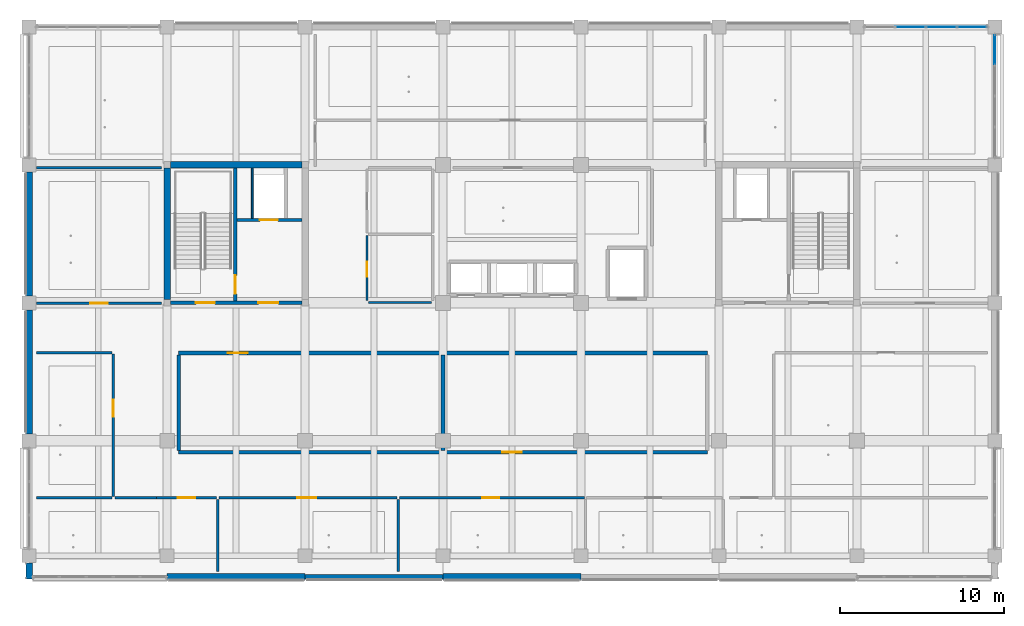
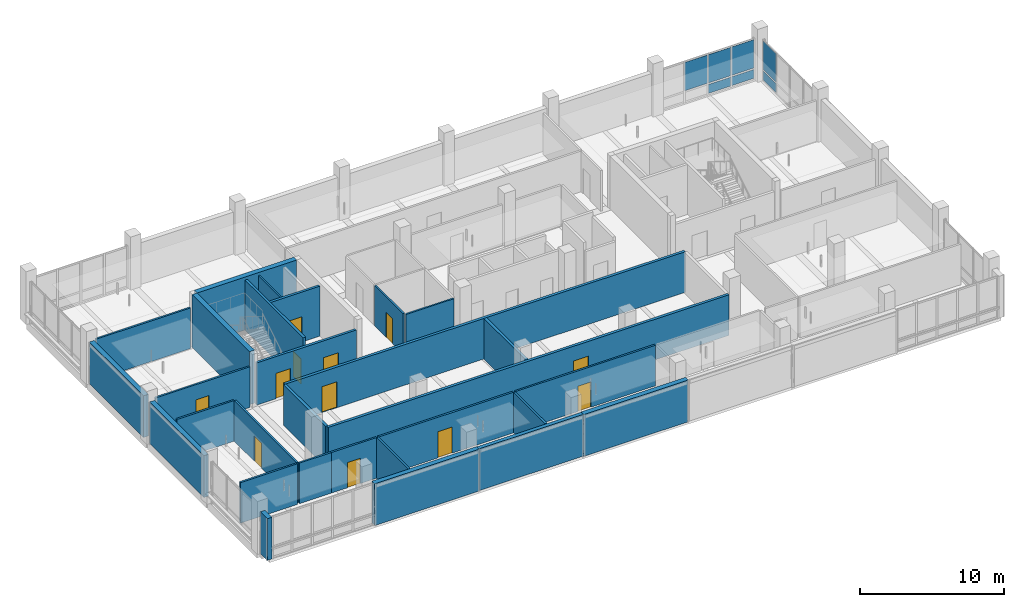
# One storey, part 11 of 36: 29 walls, 12 doors, 7 plates, 12 openings, 2 elements without a shape of their own.
"""IFC4 building model written with IfcOpenShell, lengths in metres."""

from ifc_helpers import new_model, si_unit, direction, frame, frame_2d, origin, origin_2d, place, context, subcontext, project, spatial, rectangle, extrude, material, layer, layer_set, type_object, element, fill, aggregate, save


model = new_model("IFC4")

# Units and contexts
model_context = context("Model", 3, precision=1e-05, world=origin(), true_north=direction((0.0, 1.0)))
body_context = subcontext(model_context, "Body", "Model", "MODEL_VIEW")
ifc_project = project(units=[si_unit("LENGTHUNIT", "METRE"), si_unit("AREAUNIT", "SQUARE_METRE"), si_unit("VOLUMEUNIT", "CUBIC_METRE"), si_unit("PLANEANGLEUNIT", "RADIAN"), si_unit("MASSUNIT", "GRAM", prefix="KILO")], contexts=[model_context])

# Site, building, storey
site_placement = place(None, origin())
site = spatial("IfcSite", under=ifc_project, at=site_placement, CompositionType="ELEMENT")
building_placement = place(site_placement, origin())
building = spatial("IfcBuilding", under=site, at=building_placement, Name="Telukmera Botanical Conservatory", CompositionType="ELEMENT")
storey_placement = place(building_placement, frame((0.0, 0.0, 24.0)))
storey = spatial("IfcBuildingStorey", under=building, at=storey_placement, Name="L05", CompositionType="ELEMENT", Elevation=24.0)

# Curtain wall, plates
ifc_material_1 = material(Name="Anodised aluminium 6063-T6", Category="aluminium")
ifc_layer_1 = layer(ifc_material_1, 0.179931640625)
ifc_layer_set_1 = layer_set([ifc_layer_1], Name="Anodised aluminium 6063-T6")
curtain_wall_type = type_object("IfcCurtainWallType", Name="Tower Herbarium Curation Corner Curtain Wall", PredefinedType="USERDEFINED", material=ifc_layer_set_1)
curtain_wall_1_placement = place(storey_placement, origin())
curtain_wall_1 = element("IfcCurtainWall", 1, at=curtain_wall_1_placement, inside=storey, type_object=curtain_wall_type, Name="Unitised Curtain Wall CW14 V4:L05:N7", ObjectType="UNITISED CURTAIN WALL", PredefinedType="USERDEFINED")
ifc_material_2 = material(Name="Spectrally selective low-E double glazing", Category="glass")
ifc_layer_2 = layer(ifc_material_2, 0.0380859375)
ifc_layer_set_2 = layer_set([ifc_layer_2], Name="Spectrally selective low-E double glazing")
plate_type = type_object("IfcPlateType", Name="Solar Control Fritted Spandrel Glazing Panel 38", PredefinedType="CURTAIN_PANEL", material=ifc_layer_set_2)
plate_1_placement = place(storey_placement, frame((104.056640625, 42.800048828125, 1.01513671875), z_axis=(0.0, 0.0, 1.0), x_axis=(1.0, 0.0, 0.0)))
plate_1 = element("IfcPlate", 2, at=plate_1_placement, type_object=plate_type, Name="CW14 panel 2.2", PredefinedType="CURTAIN_PANEL", context=body_context, shape_type="SweptSolid", body=[
    extrude(rectangle(XDim=1.821533203125, YDim=0.0380859375, at=origin_2d()), origin(), (0.0, 0.0, 1.0), 2.405029296875),
])
plate_2_placement = place(storey_placement, frame((105.943359375, 42.800048828125, 0.130126953125), z_axis=(0.0, 0.0, 1.0), x_axis=(1.0, 0.0, 0.0)))
plate_2 = element("IfcPlate", 3, at=plate_2_placement, type_object=plate_type, Name="CW14 panel 3.1", PredefinedType="CURTAIN_PANEL", context=body_context, shape_type="SweptSolid", body=[
    extrude(rectangle(XDim=1.821533203125, YDim=0.0380859375, at=origin_2d()), origin(), (0.0, 0.0, 1.0), 0.7548828125),
])
plate_3_placement = place(storey_placement, frame((105.943359375, 42.800048828125, 1.01513671875), z_axis=(0.0, 0.0, 1.0), x_axis=(1.0, 0.0, 0.0)))
plate_3 = element("IfcPlate", 4, at=plate_3_placement, type_object=plate_type, Name="CW14 panel 3.2", PredefinedType="CURTAIN_PANEL", context=body_context, shape_type="SweptSolid", body=[
    extrude(rectangle(XDim=1.821533203125, YDim=0.0380859375, at=origin_2d()), origin(), (0.0, 0.0, 1.0), 2.405029296875),
])
plate_4_placement = place(storey_placement, frame((107.8134765625, 42.800048828125, 0.130126953125), z_axis=(0.0, 0.0, 1.0), x_axis=(1.0, 0.0, 0.0)))
plate_4 = element("IfcPlate", 5, at=plate_4_placement, type_object=plate_type, Name="CW14 panel 4.1", PredefinedType="CURTAIN_PANEL", context=body_context, shape_type="SweptSolid", body=[
    extrude(rectangle(XDim=1.7890625, YDim=0.0380859375, at=origin_2d()), origin(), (0.0, 0.0, 1.0), 0.7548828125),
])
plate_5_placement = place(storey_placement, frame((107.8134765625, 42.800048828125, 1.01513671875), z_axis=(0.0, 0.0, 1.0), x_axis=(1.0, 0.0, 0.0)))
plate_5 = element("IfcPlate", 6, at=plate_5_placement, type_object=plate_type, Name="CW14 panel 4.2", PredefinedType="CURTAIN_PANEL", context=body_context, shape_type="SweptSolid", body=[
    extrude(rectangle(XDim=1.7890625, YDim=0.0380859375, at=origin_2d()), origin(), (0.0, 0.0, 1.0), 2.405029296875),
])
aggregate(curtain_wall_1, [plate_1, plate_2, plate_3, plate_4, plate_5])

curtain_wall_2_placement = place(storey_placement, origin())
curtain_wall_2 = element("IfcCurtainWall", 7, at=curtain_wall_2_placement, inside=storey, type_object=curtain_wall_type, Name="Unitised Curtain Wall CW14 V4:L05:E4", ObjectType="UNITISED CURTAIN WALL", PredefinedType="USERDEFINED")
plate_6_placement = place(storey_placement, frame((109.199951171875, 41.41357421875, 0.130126953125), z_axis=(0.0, 0.0, 1.0), x_axis=(0.0, 1.0, 0.0)))
plate_6 = element("IfcPlate", 8, at=plate_6_placement, type_object=plate_type, Name="CW14 panel 4.1", PredefinedType="CURTAIN_PANEL", context=body_context, shape_type="SweptSolid", body=[
    extrude(rectangle(XDim=1.7890625, YDim=0.0380859375, at=origin_2d()), origin(), (0.0, 0.0, 1.0), 0.7548828125),
])
plate_7_placement = place(storey_placement, frame((109.199951171875, 41.41357421875, 1.01513671875), z_axis=(0.0, 0.0, 1.0), x_axis=(0.0, 1.0, 0.0)))
plate_7 = element("IfcPlate", 9, at=plate_7_placement, type_object=plate_type, Name="CW14 panel 4.2", PredefinedType="CURTAIN_PANEL", context=body_context, shape_type="SweptSolid", body=[
    extrude(rectangle(XDim=1.7890625, YDim=0.0380859375, at=origin_2d()), origin(), (0.0, 0.0, 1.0), 2.405029296875),
])
aggregate(curtain_wall_2, [plate_6, plate_7])

# Walls
ifc_material_3 = material(Name="Terracotta-faced precast concrete C40/50", Category="masonry")
ifc_layer_3 = layer(ifc_material_3, 0.3798828125)
ifc_layer_set_3 = layer_set([ifc_layer_3], Name="Terracotta-faced precast concrete C40/50")
wall_type_1 = type_object("IfcWallType", Name="Exterior Herbarium Vault Insulated Precast Wall 380", PredefinedType="SOLIDWALL", material=ifc_layer_set_3)
wall_1_placement = place(storey_placement, frame((50.39990234375, 9.199951171875, 0.0), z_axis=(0.0, 0.0, 1.0), x_axis=(0.0, 1.0, 0.0)))
element("IfcWall", 10, at=wall_1_placement, inside=storey, type_object=wall_type_1, Name="Exterior Precast Wall EW04 V4:L05:SWC", PredefinedType="SOLIDWALL", context=body_context, shape_type="SweptSolid", body=[
    extrude(rectangle(XDim=0.97314453125, YDim=0.3798828125, at=frame_2d((0.486572265625, 0.0))), origin(), (0.0, 0.0, 1.0), 3.550048828125),
])
for number, where, z_axis, x_axis, name in (
    (11, (58.802001953125, 9.320068359375, 0.0), (0.0, 0.0, 1.0), (1.0, 0.0, 0.0), "Exterior Precast Wall EW04 V4:L05:S2"),
    (12, (75.60205078125, 9.320068359375, 0.0), (0.0, 0.0, 1.0), (1.0, 0.0, 0.0), "Exterior Precast Wall EW04 V4:L05:S4"),
):
    element("IfcWall", number, at=place(storey_placement, frame(where, z_axis=z_axis, x_axis=x_axis)), inside=storey, type_object=wall_type_1, Name=name, PredefinedType="SOLIDWALL", context=body_context, shape_type="SweptSolid", body=[
        extrude(rectangle(XDim=8.39599609375, YDim=0.3798828125, at=frame_2d((4.197998046875, 0.0))), origin(), (0.0, 0.0, 1.0), 3.550048828125),
    ])
for number, where, z_axis, x_axis, name in (
    (13, (50.39990234375, 18.027099609375, 0.0), (0.0, 0.0, 1.0), (0.0, 1.0, 0.0), "Exterior Precast Wall EW04 V4:L05:W2"),
    (14, (50.39990234375, 26.427001953125, 0.0), (0.0, 0.0, 1.0), (0.0, 1.0, 0.0), "Exterior Precast Wall EW04 V4:L05:W3"),
):
    element("IfcWall", number, at=place(storey_placement, frame(where, z_axis=z_axis, x_axis=x_axis)), inside=storey, type_object=wall_type_1, Name=name, PredefinedType="SOLIDWALL", context=body_context, shape_type="SweptSolid", body=[
        extrude(rectangle(XDim=7.5458984375, YDim=0.3798828125, at=frame_2d((3.77294921875, 0.0))), origin(), (0.0, 0.0, 1.0), 3.550048828125),
    ])
ifc_layer_4 = layer(ifc_material_3, 0.300048828125)
ifc_layer_set_4 = layer_set([ifc_layer_4], Name="Terracotta-faced precast concrete C40/50")
wall_type_2 = type_object("IfcWallType", Name="Exterior Polychrome Terracotta Precast Wall 300", PredefinedType="SOLIDWALL", material=ifc_layer_set_4)
wall_2_placement = place(storey_placement, frame((67.201904296875, 9.320068359375, 0.0), z_axis=(0.0, 0.0, 1.0), x_axis=(1.0, 0.0, 0.0)))
element("IfcWall", 15, at=wall_2_placement, inside=storey, type_object=wall_type_2, Name="Exterior Precast Wall EW02 V4:L05:S3", PredefinedType="SOLIDWALL", context=body_context, shape_type="SweptSolid", body=[
    extrude(rectangle(XDim=8.39599609375, YDim=0.300048828125, at=frame_2d((4.197998046875, 0.0))), origin(), (0.0, 0.0, 1.0), 3.550048828125),
])

# Wall, openings, doors
ifc_material_4 = material(Name="Concrete C40/50", Category="concrete")
ifc_layer_5 = layer(ifc_material_4, 0.199951171875)
ifc_layer_set_5 = layer_set([ifc_layer_5], Name="Concrete C40/50")
wall_type_3 = type_object("IfcWallType", Name="WT-CORE-200", PredefinedType="SOLIDWALL", material=ifc_layer_set_5)
wall_3_placement = place(storey_placement, frame((59.0, 26.0, 0.0), z_axis=(0.0, 0.0, 1.0), x_axis=(1.0, 0.0, 0.0)))
wall_3 = element("IfcWall", 16, at=wall_3_placement, inside=storey, type_object=wall_type_3, Name="L05 Core C1 South Fire Wall", PredefinedType="SOLIDWALL", context=body_context, shape_type="SweptSolid", body=[
    extrude(rectangle(XDim=8.0, YDim=0.199951171875, at=frame_2d((4.0, 0.0))), origin(), (0.0, 0.0, 1.0), 3.580078125),
])
opening_1_placement = place(wall_3_placement, frame((1.550048828125, 0.0, 0.0)))
opening_1 = element("IfcOpeningElement", 17, at=opening_1_placement, cuts=wall_3, Name="Opening FD60A", PredefinedType="OPENING", context=body_context, shape_type="SweptSolid", body=[
    extrude(rectangle(XDim=1.14990234375, YDim=2.14990234375, at=frame_2d((0.574951171875, 1.074951171875))), frame((0.0, 0.10986328125, 0.0), z_axis=(0.0, -1.0, 0.0), x_axis=(1.0, 0.0, 0.0)), (0.0, 0.0, 1.0), 0.219970703125),
])
opening_2_placement = place(wall_3_placement, frame((5.35009765625, 0.0, 0.0)))
opening_2 = element("IfcOpeningElement", 18, at=opening_2_placement, cuts=wall_3, Name="Opening FD60C", PredefinedType="OPENING", context=body_context, shape_type="SweptSolid", body=[
    extrude(rectangle(XDim=1.219970703125, YDim=2.14990234375, at=frame_2d((0.60986328125, 1.074951171875))), frame((0.0, 0.10986328125, 0.0), z_axis=(0.0, -1.0, 0.0), x_axis=(1.0, 0.0, 0.0)), (0.0, 0.0, 1.0), 0.219970703125),
])
ifc_material_5 = material(Name="Hardwood fire door", Category="wood")
door_type_1 = type_object("IfcDoorType", Name="DT-FD60-01", OperationType="NOTDEFINED", PredefinedType="DOOR", material=ifc_material_5)
door_1_placement = place(opening_1_placement, origin())
door_1 = element("IfcDoor", 19, at=door_1_placement, inside=storey, type_object=door_type_1, Name="L05 Stair ST1 Escape Door", OperationType="SINGLE_SWING_LEFT", OverallHeight=2.14990234375, OverallWidth=1.14990234375, PredefinedType="DOOR", context=body_context, shape_type="SweptSolid", body=[
    extrude(rectangle(XDim=1.14990234375, YDim=2.14990234375, at=frame_2d((0.574951171875, 1.074951171875))), frame((0.0, 0.02490234375, 0.0), z_axis=(0.0, -1.0, 0.0), x_axis=(1.0, 0.0, 0.0)), (0.0, 0.0, 1.0), 0.050048828125),
])
fill(opening_1, door_1)
door_type_2 = type_object("IfcDoorType", Name="DT-FD60-03", OperationType="NOTDEFINED", PredefinedType="DOOR", material=ifc_material_5)
door_2_placement = place(opening_2_placement, origin())
door_2 = element("IfcDoor", 20, at=door_2_placement, inside=storey, type_object=door_type_2, Name="L05 Firefighting Lobby C1 Door", OperationType="SINGLE_SWING_RIGHT", OverallHeight=2.14990234375, OverallWidth=1.219970703125, PredefinedType="DOOR", context=body_context, shape_type="SweptSolid", body=[
    extrude(rectangle(XDim=1.219970703125, YDim=2.14990234375, at=frame_2d((0.60986328125, 1.074951171875))), frame((0.0, 0.02490234375, 0.0), z_axis=(0.0, -1.0, 0.0), x_axis=(1.0, 0.0, 0.0)), (0.0, 0.0, 1.0), 0.050048828125),
])
fill(opening_2, door_2)

# Wall, opening, door
wall_4_placement = place(storey_placement, frame((62.949951171875, 26.10009765625, 0.0), z_axis=(0.0, 0.0, 1.0), x_axis=(0.0, 1.0, 0.0)))
wall_4 = element("IfcWall", 21, at=wall_4_placement, inside=storey, type_object=wall_type_3, Name="L05 Core C1 Stair-Lobby Wall", PredefinedType="SOLIDWALL", context=body_context, shape_type="SweptSolid", body=[
    extrude(rectangle(XDim=8.099853515625, YDim=0.199951171875, at=frame_2d((4.0498046875, 0.0))), origin(), (0.0, 0.0, 1.0), 4.25),
])
opening_3_placement = place(wall_4_placement, frame((0.449951171875, 0.0, 0.0)))
opening_3 = element("IfcOpeningElement", 22, at=opening_3_placement, cuts=wall_4, Name="Opening FD60B", PredefinedType="OPENING", context=body_context, shape_type="SweptSolid", body=[
    extrude(rectangle(XDim=1.1201171875, YDim=2.14990234375, at=frame_2d((0.56005859375, 1.074951171875))), frame((0.0, 0.10986328125, 0.0), z_axis=(0.0, -1.0, 0.0), x_axis=(1.0, 0.0, 0.0)), (0.0, 0.0, 1.0), 0.219970703125),
])
door_type_3 = type_object("IfcDoorType", Name="DT-FD60-02", OperationType="NOTDEFINED", PredefinedType="DOOR", material=ifc_material_5)
door_3_placement = place(opening_3_placement, origin())
door_3 = element("IfcDoor", 23, at=door_3_placement, inside=storey, type_object=door_type_3, Name="L05 Firefighting Lobby C1 to ST1 Door", OperationType="SINGLE_SWING_LEFT", OverallHeight=2.14990234375, OverallWidth=1.1201171875, PredefinedType="DOOR", context=body_context, shape_type="SweptSolid", body=[
    extrude(rectangle(XDim=1.1201171875, YDim=2.14990234375, at=frame_2d((0.56005859375, 1.074951171875))), frame((0.0, 0.02490234375, 0.0), z_axis=(0.0, -1.0, 0.0), x_axis=(1.0, 0.0, 0.0)), (0.0, 0.0, 1.0), 0.050048828125),
])
fill(opening_3, door_3)

wall_5_placement = place(storey_placement, frame((63.050048828125, 31.050048828125, 0.0), z_axis=(0.0, 0.0, 1.0), x_axis=(1.0, 0.0, 0.0)))
wall_5 = element("IfcWall", 24, at=wall_5_placement, inside=storey, type_object=wall_type_3, Name="L05 Fire Lift FL1 Shaft Front Wall", PredefinedType="SOLIDWALL", context=body_context, shape_type="SweptSolid", body=[
    extrude(rectangle(XDim=3.949951171875, YDim=0.199951171875, at=frame_2d((1.97509765625, 0.0))), origin(), (0.0, 0.0, 1.0), 4.25),
])
opening_4_placement = place(wall_5_placement, frame((1.39990234375, 0.0, 0.0)))
opening_4 = element("IfcOpeningElement", 25, at=opening_4_placement, cuts=wall_5, Name="Opening LD01", PredefinedType="OPENING", context=body_context, shape_type="SweptSolid", body=[
    extrude(rectangle(XDim=1.10009765625, YDim=2.14990234375, at=frame_2d((0.550048828125, 1.074951171875))), frame((0.0, 0.10986328125, 0.0), z_axis=(0.0, -1.0, 0.0), x_axis=(1.0, 0.0, 0.0)), (0.0, 0.0, 1.0), 0.219970703125),
])
ifc_material_6 = material(Name="Stainless steel 316", Category="steel")
door_type_4 = type_object("IfcDoorType", Name="DT-LD01", OperationType="SLIDING_TO_LEFT", PredefinedType="DOOR", material=ifc_material_6)
door_4_placement = place(opening_4_placement, frame((1.10009765625, 0.0, 0.0), z_axis=(0.0, 0.0, 1.0), x_axis=(-1.0, 0.0, 0.0)))
door_4 = element("IfcDoor", 26, at=door_4_placement, inside=storey, type_object=door_type_4, Name="L05 Lift Landing Door FL1", OperationType="SLIDING_TO_LEFT", OverallHeight=2.14990234375, OverallWidth=1.10009765625, PredefinedType="DOOR", context=body_context, shape_type="SweptSolid", body=[
    extrude(rectangle(XDim=1.10009765625, YDim=2.14990234375, at=frame_2d((0.550048828125, 1.074951171875))), frame((0.0, 0.02490234375, 0.0), z_axis=(0.0, -1.0, 0.0), x_axis=(1.0, 0.0, 0.0)), (0.0, 0.0, 1.0), 0.050048828125),
])
fill(opening_4, door_4)

ifc_material_7 = material(Name="Gypsum acoustic stud partition")
ifc_layer_6 = layer(ifc_material_7, 0.159912109375)
ifc_layer_set_6 = layer_set([ifc_layer_6], Name="Gypsum acoustic stud partition")
wall_type_4 = type_object("IfcWallType", Name="WT-LAB-160", PredefinedType="PARTITIONING", material=ifc_layer_set_6)
wall_6_placement = place(storey_placement, frame((61.949951171875, 14.125, 0.0), z_axis=(0.0, 0.0, 1.0), x_axis=(1.0, 0.0, 0.0)))
wall_6 = element("IfcWall", 27, at=wall_6_placement, inside=storey, type_object=wall_type_4, Name="L05 Interior Partition 20", PredefinedType="PARTITIONING", context=body_context, shape_type="SweptSolid", body=[
    extrude(rectangle(XDim=10.85009765625, YDim=0.159912109375, at=frame_2d((5.425048828125, 0.0))), origin(), (0.0, 0.0, 1.0), 3.449951171875),
])
opening_5_placement = place(wall_6_placement, frame((4.779541015625, 0.0, 0.0)))
opening_5 = element("IfcOpeningElement", 28, at=opening_5_placement, cuts=wall_6, Name="Opening ID10", PredefinedType="OPENING", context=body_context, shape_type="SweptSolid", body=[
    extrude(rectangle(XDim=1.139892578125, YDim=2.219970703125, at=frame_2d((0.56982421875, 1.10986328125))), frame((0.0, 0.08984375, 0.0), z_axis=(0.0, -1.0, 0.0), x_axis=(1.0, 0.0, 0.0)), (0.0, 0.0, 1.0), 0.179931640625),
])
ifc_material_8 = material(Name="Sealed steel herbarium door", Category="steel")
door_type_5 = type_object("IfcDoorType", Name="DT-HERB-114", OperationType="NOTDEFINED", PredefinedType="DOOR", material=ifc_material_8)
door_5_placement = place(opening_5_placement, frame((1.139892578125, 0.0, 0.0), z_axis=(0.0, 0.0, 1.0), x_axis=(-1.0, 0.0, 0.0)))
door_5 = element("IfcDoor", 29, at=door_5_placement, inside=storey, type_object=door_type_5, Name="L05 Mycology Herbarium Studio Door", OperationType="SINGLE_SWING_RIGHT", OverallHeight=2.219970703125, OverallWidth=1.139892578125, PredefinedType="DOOR", context=body_context, shape_type="SweptSolid", body=[
    extrude(rectangle(XDim=1.139892578125, YDim=2.219970703125, at=frame_2d((0.56982421875, 1.10986328125))), frame((0.0, 0.02490234375, 0.0), z_axis=(0.0, -1.0, 0.0), x_axis=(1.0, 0.0, 0.0)), (0.0, 0.0, 1.0), 0.050048828125),
])
fill(opening_5, door_5)

# Walls
for number, where, z_axis, x_axis, name in (
    (30, (61.875, 9.64990234375, 0.0), (0.0, 0.0, 1.0), (0.0, 1.0, 0.0), "L05 Interior Partition 25"),
    (31, (72.875, 9.64990234375, 0.0), (0.0, 0.0, 1.0), (0.0, 1.0, 0.0), "L05 Interior Partition 26"),
):
    element("IfcWall", number, at=place(storey_placement, frame(where, z_axis=z_axis, x_axis=x_axis)), inside=storey, type_object=wall_type_4, Name=name, PredefinedType="PARTITIONING", context=body_context, shape_type="SweptSolid", body=[
        extrude(rectangle(XDim=4.385009765625, YDim=0.159912109375, at=frame_2d((2.1923828125, 0.0))), origin(), (0.0, 0.0, 1.0), 3.449951171875),
    ])
ifc_material_9 = material(Name="Gypsum shaftwall liner")
ifc_layer_7 = layer(ifc_material_9, 0.110107421875)
ifc_layer_set_7 = layer_set([ifc_layer_7], Name="Gypsum shaftwall liner")
wall_type_5 = type_object("IfcWallType", Name="WT-RISER-110", PredefinedType="PARTITIONING", material=ifc_layer_set_7)
wall_7_placement = place(storey_placement, frame((63.97998046875, 31.14990234375, 0.0), z_axis=(0.0, 0.0, 1.0), x_axis=(0.0, 1.0, 0.0)))
element("IfcWall", 32, at=wall_7_placement, inside=storey, type_object=wall_type_5, Name="L05 Wet Riser C1 Shaft Wall", PredefinedType="PARTITIONING", context=body_context, shape_type="SweptSolid", body=[
    extrude(rectangle(XDim=3.050048828125, YDim=0.110107421875, at=frame_2d((1.52490234375, 0.0))), origin(), (0.0, 0.0, 1.0), 4.25),
])

# Wall, opening, door
ifc_layer_8 = layer(ifc_material_7, 0.14990234375)
ifc_layer_set_8 = layer_set([ifc_layer_8], Name="Gypsum acoustic stud partition")
wall_type_6 = type_object("IfcWallType", Name="WT-STD-150", PredefinedType="PARTITIONING", material=ifc_layer_set_8)
wall_8_placement = place(storey_placement, frame((50.85498046875, 25.97509765625, 0.0), z_axis=(0.0, 0.0, 1.0), x_axis=(1.0, 0.0, 0.0)))
wall_8 = element("IfcWall", 33, at=wall_8_placement, inside=storey, type_object=wall_type_6, Name="L05 Interior Partition 09", PredefinedType="PARTITIONING", context=body_context, shape_type="SweptSolid", body=[
    extrude(rectangle(XDim=7.594970703125, YDim=0.14990234375, at=frame_2d((3.79736328125, 0.0))), origin(), (0.0, 0.0, 1.0), 3.449951171875),
])
opening_6_placement = place(wall_8_placement, frame((3.277587890625, 0.0, 0.0)))
opening_6 = element("IfcOpeningElement", 34, at=opening_6_placement, cuts=wall_8, Name="Opening ID13", PredefinedType="OPENING", context=body_context, shape_type="SweptSolid", body=[
    extrude(rectangle(XDim=1.0400390625, YDim=2.14990234375, at=frame_2d((0.52001953125, 1.074951171875))), frame((0.0, 0.0849609375, 0.0), z_axis=(0.0, -1.0, 0.0), x_axis=(1.0, 0.0, 0.0)), (0.0, 0.0, 1.0), 0.169921875),
])
ifc_material_10 = material(Name="Hardwood curation studio door", Category="wood")
door_type_6 = type_object("IfcDoorType", Name="DT-CUR-104", OperationType="NOTDEFINED", PredefinedType="DOOR", material=ifc_material_10)
door_6_placement = place(opening_6_placement, origin())
door_6 = element("IfcDoor", 35, at=door_6_placement, inside=storey, type_object=door_type_6, Name="L05 Orchidaceae Curation Studio Door", OperationType="SINGLE_SWING_LEFT", OverallHeight=2.14990234375, OverallWidth=1.0400390625, PredefinedType="DOOR", context=body_context, shape_type="SweptSolid", body=[
    extrude(rectangle(XDim=1.0400390625, YDim=2.14990234375, at=frame_2d((0.52001953125, 1.074951171875))), frame((0.0, 0.02490234375, 0.0), z_axis=(0.0, -1.0, 0.0), x_axis=(1.0, 0.0, 0.0)), (0.0, 0.0, 1.0), 0.050048828125),
])
fill(opening_6, door_6)

# Walls
wall_9_placement = place(storey_placement, frame((50.85498046875, 34.22509765625, 0.0), z_axis=(0.0, 0.0, 1.0), x_axis=(1.0, 0.0, 0.0)))
element("IfcWall", 36, at=wall_9_placement, inside=storey, type_object=wall_type_6, Name="L05 Interior Partition 10", PredefinedType="PARTITIONING", context=body_context, shape_type="SweptSolid", body=[
    extrude(rectangle(XDim=7.594970703125, YDim=0.14990234375, at=frame_2d((3.79736328125, 0.0))), origin(), (0.0, 0.0, 1.0), 3.449951171875),
])
wall_10_placement = place(storey_placement, frame((50.85009765625, 22.97509765625, 0.0), z_axis=(0.0, 0.0, 1.0), x_axis=(1.0, 0.0, 0.0)))
element("IfcWall", 37, at=wall_10_placement, inside=storey, type_object=wall_type_6, Name="L05 Interior Partition 13", PredefinedType="PARTITIONING", context=body_context, shape_type="SweptSolid", body=[
    extrude(rectangle(XDim=4.599853515625, YDim=0.14990234375, at=frame_2d((2.2998046875, 0.0))), origin(), (0.0, 0.0, 1.0), 3.449951171875),
])

# Wall, opening, door
wall_11_placement = place(storey_placement, frame((55.52490234375, 14.199951171875, 0.0), z_axis=(0.0, 0.0, 1.0), x_axis=(0.0, 1.0, 0.0)))
wall_11 = element("IfcWall", 38, at=wall_11_placement, inside=storey, type_object=wall_type_6, Name="L05 Interior Partition 15", PredefinedType="PARTITIONING", context=body_context, shape_type="SweptSolid", body=[
    extrude(rectangle(XDim=8.68994140625, YDim=0.14990234375, at=frame_2d((4.344970703125, 0.0))), origin(), (0.0, 0.0, 1.0), 3.449951171875),
])
opening_7_placement = place(wall_11_placement, frame((4.86767578125, 0.0, 0.0)))
opening_7 = element("IfcOpeningElement", 39, at=opening_7_placement, cuts=wall_11, Name="Opening ID13", PredefinedType="OPENING", context=body_context, shape_type="SweptSolid", body=[
    extrude(rectangle(XDim=1.0400390625, YDim=2.14990234375, at=frame_2d((0.52001953125, 1.074951171875))), frame((0.0, 0.0849609375, 0.0), z_axis=(0.0, -1.0, 0.0), x_axis=(1.0, 0.0, 0.0)), (0.0, 0.0, 1.0), 0.169921875),
])
door_7_placement = place(opening_7_placement, origin())
door_7 = element("IfcDoor", 40, at=door_7_placement, inside=storey, type_object=door_type_6, Name="L05 West Herbarium Curation Studio Door", OperationType="SINGLE_SWING_LEFT", OverallHeight=2.14990234375, OverallWidth=1.0400390625, PredefinedType="DOOR", context=body_context, shape_type="SweptSolid", body=[
    extrude(rectangle(XDim=1.0400390625, YDim=2.14990234375, at=frame_2d((0.52001953125, 1.074951171875))), frame((0.0, 0.02490234375, 0.0), z_axis=(0.0, -1.0, 0.0), x_axis=(1.0, 0.0, 0.0)), (0.0, 0.0, 1.0), 0.050048828125),
])
fill(opening_7, door_7)

# Wall
wall_12_placement = place(storey_placement, frame((55.610107421875, 14.125, 0.0), z_axis=(0.0, 0.0, 1.0), x_axis=(1.0, 0.0, 0.0)))
element("IfcWall", 41, at=wall_12_placement, inside=storey, type_object=wall_type_6, Name="L05 Interior Partition 16", PredefinedType="PARTITIONING", context=body_context, shape_type="SweptSolid", body=[
    extrude(rectangle(XDim=2.539794921875, YDim=0.14990234375, at=frame_2d((1.27001953125, 0.0))), origin(), (0.0, 0.0, 1.0), 3.449951171875),
])

# Wall, opening, door
wall_13_placement = place(storey_placement, frame((58.159912109375, 14.125, 0.0), z_axis=(0.0, 0.0, 1.0), x_axis=(1.0, 0.0, 0.0)))
wall_13 = element("IfcWall", 42, at=wall_13_placement, inside=storey, type_object=wall_type_6, Name="L05 Interior Partition 19", PredefinedType="PARTITIONING", context=body_context, shape_type="SweptSolid", body=[
    extrude(rectangle(XDim=3.64013671875, YDim=0.14990234375, at=frame_2d((1.820068359375, 0.0))), origin(), (0.0, 0.0, 1.0), 3.449951171875),
])
opening_8_placement = place(wall_13_placement, frame((1.300048828125, 0.0, 0.0)))
opening_8 = element("IfcOpeningElement", 43, at=opening_8_placement, cuts=wall_13, Name="Opening ID13", PredefinedType="OPENING", context=body_context, shape_type="SweptSolid", body=[
    extrude(rectangle(XDim=1.0400390625, YDim=2.14990234375, at=frame_2d((0.52001953125, 1.074951171875))), frame((0.0, 0.0849609375, 0.0), z_axis=(0.0, -1.0, 0.0), x_axis=(1.0, 0.0, 0.0)), (0.0, 0.0, 1.0), 0.169921875),
])
door_8_placement = place(opening_8_placement, frame((1.0400390625, 0.0, 0.0), z_axis=(0.0, 0.0, 1.0), x_axis=(-1.0, 0.0, 0.0)))
door_8 = element("IfcDoor", 44, at=door_8_placement, inside=storey, type_object=door_type_6, Name="L05 Bryophyte Curation Studio Door", OperationType="SINGLE_SWING_LEFT", OverallHeight=2.14990234375, OverallWidth=1.0400390625, PredefinedType="DOOR", context=body_context, shape_type="SweptSolid", body=[
    extrude(rectangle(XDim=1.0400390625, YDim=2.14990234375, at=frame_2d((0.52001953125, 1.074951171875))), frame((0.0, 0.02490234375, 0.0), z_axis=(0.0, -1.0, 0.0), x_axis=(1.0, 0.0, 0.0)), (0.0, 0.0, 1.0), 0.050048828125),
])
fill(opening_8, door_8)

wall_14_placement = place(storey_placement, frame((72.949951171875, 14.125, 0.0), z_axis=(0.0, 0.0, 1.0), x_axis=(1.0, 0.0, 0.0)))
wall_14 = element("IfcWall", 45, at=wall_14_placement, inside=storey, type_object=wall_type_6, Name="L05 Interior Partition 21", PredefinedType="PARTITIONING", context=body_context, shape_type="SweptSolid", body=[
    extrude(rectangle(XDim=11.25, YDim=0.14990234375, at=frame_2d((5.625, 0.0))), origin(), (0.0, 0.0, 1.0), 3.449951171875),
])
opening_9_placement = place(wall_14_placement, frame((5.0302734375, 0.0, 0.0)))
opening_9 = element("IfcOpeningElement", 46, at=opening_9_placement, cuts=wall_14, Name="Opening ID13", PredefinedType="OPENING", context=body_context, shape_type="SweptSolid", body=[
    extrude(rectangle(XDim=1.0400390625, YDim=2.14990234375, at=frame_2d((0.52001953125, 1.074951171875))), frame((0.0, 0.0849609375, 0.0), z_axis=(0.0, -1.0, 0.0), x_axis=(1.0, 0.0, 0.0)), (0.0, 0.0, 1.0), 0.169921875),
])
door_9_placement = place(opening_9_placement, frame((1.0400390625, 0.0, 0.0), z_axis=(0.0, 0.0, 1.0), x_axis=(-1.0, 0.0, 0.0)))
door_9 = element("IfcDoor", 47, at=door_9_placement, inside=storey, type_object=door_type_6, Name="L05 Herbarium Digitization Studio Door", OperationType="SINGLE_SWING_LEFT", OverallHeight=2.14990234375, OverallWidth=1.0400390625, PredefinedType="DOOR", context=body_context, shape_type="SweptSolid", body=[
    extrude(rectangle(XDim=1.0400390625, YDim=2.14990234375, at=frame_2d((0.52001953125, 1.074951171875))), frame((0.0, 0.02490234375, 0.0), z_axis=(0.0, -1.0, 0.0), x_axis=(1.0, 0.0, 0.0)), (0.0, 0.0, 1.0), 0.050048828125),
])
fill(opening_9, door_9)

# Wall
wall_15_placement = place(storey_placement, frame((50.85009765625, 14.125, 0.0), z_axis=(0.0, 0.0, 1.0), x_axis=(1.0, 0.0, 0.0)))
element("IfcWall", 48, at=wall_15_placement, inside=storey, type_object=wall_type_6, Name="L05 Interior Partition 23", PredefinedType="PARTITIONING", context=body_context, shape_type="SweptSolid", body=[
    extrude(rectangle(XDim=4.58984375, YDim=0.14990234375, at=frame_2d((2.294921875, 0.0))), origin(), (0.0, 0.0, 1.0), 3.449951171875),
])

# Wall, opening, door
ifc_layer_9 = layer(ifc_material_4, 0.219970703125)
ifc_layer_set_9 = layer_set([ifc_layer_9], Name="Concrete C40/50")
wall_type_7 = type_object("IfcWallType", Name="WT-VAULT-220", PredefinedType="SOLIDWALL", material=ifc_layer_set_9)
wall_16_placement = place(storey_placement, frame((59.5, 22.949951171875, 0.0), z_axis=(0.0, 0.0, 1.0), x_axis=(1.0, 0.0, 0.0)))
wall_16 = element("IfcWall", 49, at=wall_16_placement, inside=storey, type_object=wall_type_7, Name="L05 Herbarium Vault North 2hr Wall", PredefinedType="SOLIDWALL", context=body_context, shape_type="SweptSolid", body=[
    extrude(rectangle(XDim=32.199951171875, YDim=0.219970703125, at=frame_2d((16.10009765625, 0.0))), origin(), (0.0, 0.0, 1.0), 3.449951171875),
])
opening_10_placement = place(wall_16_placement, frame((3.0, 0.0, 0.0)))
opening_10 = element("IfcOpeningElement", 50, at=opening_10_placement, cuts=wall_16, Name="Opening FD120A", PredefinedType="OPENING", context=body_context, shape_type="SweptSolid", body=[
    extrude(rectangle(XDim=1.199951171875, YDim=2.199951171875, at=frame_2d((0.60009765625, 1.10009765625))), frame((0.0, 0.119873046875, 0.0), z_axis=(0.0, -1.0, 0.0), x_axis=(1.0, 0.0, 0.0)), (0.0, 0.0, 1.0), 0.239990234375),
])
ifc_material_11 = material(Name="Galvanised steel fire door", Category="steel")
door_type_7 = type_object("IfcDoorType", Name="DT-FD120-01", OperationType="NOTDEFINED", PredefinedType="DOOR", material=ifc_material_11)
door_10_placement = place(opening_10_placement, origin())
door_10 = element("IfcDoor", 51, at=door_10_placement, inside=storey, type_object=door_type_7, Name="L05 Herbarium Vault FD120S Door", OperationType="SINGLE_SWING_LEFT", OverallHeight=2.199951171875, OverallWidth=1.199951171875, PredefinedType="DOOR", context=body_context, shape_type="SweptSolid", body=[
    extrude(rectangle(XDim=1.199951171875, YDim=2.199951171875, at=frame_2d((0.60009765625, 1.10009765625))), frame((0.0, 0.02490234375, 0.0), z_axis=(0.0, -1.0, 0.0), x_axis=(1.0, 0.0, 0.0)), (0.0, 0.0, 1.0), 0.050048828125),
])
fill(opening_10, door_10)

wall_17_placement = place(storey_placement, frame((59.5, 16.89990234375, 0.0), z_axis=(0.0, 0.0, 1.0), x_axis=(1.0, 0.0, 0.0)))
wall_17 = element("IfcWall", 52, at=wall_17_placement, inside=storey, type_object=wall_type_7, Name="L05 Herbarium Vault South 2hr Wall", PredefinedType="SOLIDWALL", context=body_context, shape_type="SweptSolid", body=[
    extrude(rectangle(XDim=32.199951171875, YDim=0.219970703125, at=frame_2d((16.10009765625, 0.0))), origin(), (0.0, 0.0, 1.0), 3.449951171875),
])
opening_11_placement = place(wall_17_placement, frame((19.699951171875, 0.0, 0.0)))
opening_11 = element("IfcOpeningElement", 53, at=opening_11_placement, cuts=wall_17, Name="Opening FD120A", PredefinedType="OPENING", context=body_context, shape_type="SweptSolid", body=[
    extrude(rectangle(XDim=1.199951171875, YDim=2.199951171875, at=frame_2d((0.60009765625, 1.10009765625))), frame((0.0, 0.119873046875, 0.0), z_axis=(0.0, -1.0, 0.0), x_axis=(1.0, 0.0, 0.0)), (0.0, 0.0, 1.0), 0.239990234375),
])
door_11_placement = place(opening_11_placement, frame((1.199951171875, 0.0, 0.0), z_axis=(0.0, 0.0, 1.0), x_axis=(-1.0, 0.0, 0.0)))
door_11 = element("IfcDoor", 54, at=door_11_placement, inside=storey, type_object=door_type_7, Name="L05 Cryptogamic Vault FD120S Door", OperationType="SINGLE_SWING_RIGHT", OverallHeight=2.199951171875, OverallWidth=1.199951171875, PredefinedType="DOOR", context=body_context, shape_type="SweptSolid", body=[
    extrude(rectangle(XDim=1.199951171875, YDim=2.199951171875, at=frame_2d((0.60009765625, 1.10009765625))), frame((0.0, 0.02490234375, 0.0), z_axis=(0.0, -1.0, 0.0), x_axis=(1.0, 0.0, 0.0)), (0.0, 0.0, 1.0), 0.050048828125),
])
fill(opening_11, door_11)

# Walls
for number, where, z_axis, x_axis, name in (
    (55, (59.5, 17.010009765625, 0.0), (0.0, 0.0, 1.0), (0.0, 1.0, 0.0), "L05 Herbarium Vault West 2hr Wall"),
    (56, (75.60009765625, 17.010009765625, 0.0), (0.0, 0.0, 1.0), (0.0, 1.0, 0.0), "L05 Herbarium Vault Central 2hr Wall"),
):
    element("IfcWall", number, at=place(storey_placement, frame(where, z_axis=z_axis, x_axis=x_axis)), inside=storey, type_object=wall_type_7, Name=name, PredefinedType="SOLIDWALL", context=body_context, shape_type="SweptSolid", body=[
        extrude(rectangle(XDim=5.830078125, YDim=0.219970703125, at=frame_2d((2.9150390625, 0.0))), origin(), (0.0, 0.0, 1.0), 3.449951171875),
    ])

# Wall, opening, door
ifc_material_12 = material(Name="Moisture-resistant blockwork", Category="masonry")
ifc_layer_10 = layer(ifc_material_12, 0.135009765625)
ifc_layer_set_10 = layer_set([ifc_layer_10], Name="Moisture-resistant blockwork")
wall_type_8 = type_object("IfcWallType", Name="WT-WC-135", PredefinedType="PARTITIONING", material=ifc_layer_set_10)
wall_18_placement = place(storey_placement, frame((70.97509765625, 26.14990234375, 0.0), z_axis=(0.0, 0.0, 1.0), x_axis=(0.0, 1.0, 0.0)))
wall_18 = element("IfcWall", 57, at=wall_18_placement, inside=storey, type_object=wall_type_8, Name="L05 Interior Partition 01", PredefinedType="PARTITIONING", context=body_context, shape_type="SweptSolid", body=[
    extrude(rectangle(XDim=3.9501953125, YDim=0.135009765625, at=frame_2d((1.97509765625, 0.0))), origin(), (0.0, 0.0, 1.0), 3.449951171875),
])
opening_12_placement = place(wall_18_placement, frame((1.440673828125, 0.0, 0.0)))
opening_12 = element("IfcOpeningElement", 58, at=opening_12_placement, cuts=wall_18, Name="Opening ID17", PredefinedType="OPENING", context=body_context, shape_type="SweptSolid", body=[
    extrude(rectangle(XDim=0.919921875, YDim=2.1201171875, at=frame_2d((0.4599609375, 1.06005859375))), frame((0.0, 0.077392578125, 0.0), z_axis=(0.0, -1.0, 0.0), x_axis=(1.0, 0.0, 0.0)), (0.0, 0.0, 1.0), 0.155029296875),
])
ifc_material_13 = material(Name="Moisture-resistant laminate WC door")
door_type_8 = type_object("IfcDoorType", Name="DT-WC-092", OperationType="NOTDEFINED", PredefinedType="DOOR", material=ifc_material_13)
door_12_placement = place(opening_12_placement, origin())
door_12 = element("IfcDoor", 59, at=door_12_placement, inside=storey, type_object=door_type_8, Name="L05 Public WC Door", OperationType="SINGLE_SWING_RIGHT", OverallHeight=2.1201171875, OverallWidth=0.919921875, PredefinedType="DOOR", context=body_context, shape_type="SweptSolid", body=[
    extrude(rectangle(XDim=0.919921875, YDim=2.1201171875, at=frame_2d((0.4599609375, 1.06005859375))), frame((0.0, 0.02490234375, 0.0), z_axis=(0.0, -1.0, 0.0), x_axis=(1.0, 0.0, 0.0)), (0.0, 0.0, 1.0), 0.050048828125),
])
fill(opening_12, door_12)

# Walls
wall_19_placement = place(storey_placement, frame((71.050048828125, 26.02490234375, 0.0), z_axis=(0.0, 0.0, 1.0), x_axis=(1.0, 0.0, 0.0)))
element("IfcWall", 60, at=wall_19_placement, inside=storey, type_object=wall_type_8, Name="L05 Interior Partition 04", PredefinedType="PARTITIONING", context=body_context, shape_type="SweptSolid", body=[
    extrude(rectangle(XDim=3.849853515625, YDim=0.135009765625, at=frame_2d((1.9248046875, 0.0))), origin(), (0.0, 0.0, 1.0), 3.449951171875),
])
ifc_material_14 = material(Name="Concrete C50/60", Category="concrete")
ifc_layer_11 = layer(ifc_material_14, 0.39990234375)
ifc_layer_set_11 = layer_set([ifc_layer_11], Name="Concrete C50/60")
wall_type_9 = type_object("IfcWallType", Name="Wall_CW1", PredefinedType="SHEAR", material=ifc_layer_set_11)
for number, where, z_axis, x_axis, name in (
    (61, (58.800048828125, 26.199951171875, 0.0), (0.0, 0.0, 1.0), (0.0, 1.0, 0.0), "Core C1 Shear Wall West L05"),
    (62, (59.0, 34.39990234375, 0.0), (0.0, 0.0, 1.0), (1.0, 0.0, 0.0), "Core C1 Shear Wall North L05"),
):
    element("IfcWall", number, at=place(storey_placement, frame(where, z_axis=z_axis, x_axis=x_axis)), inside=storey, type_object=wall_type_9, Name=name, PredefinedType="SHEAR", context=body_context, shape_type="SweptSolid", body=[
        extrude(rectangle(XDim=8.0, YDim=0.39990234375, at=frame_2d((4.0, 0.0))), origin(), (0.0, 0.0, 1.0), 4.5),
    ])

save(model, "model.ifc")
